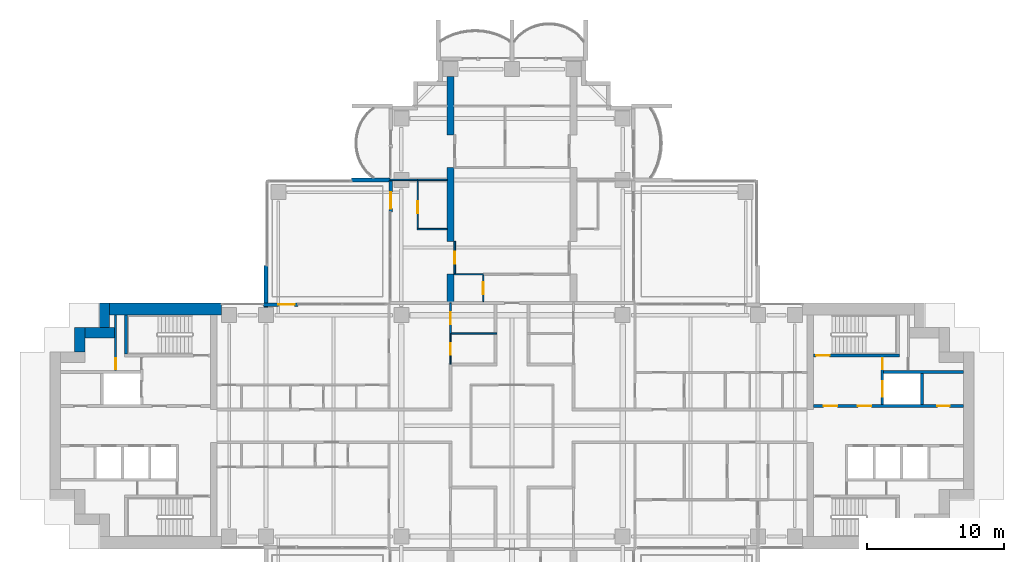
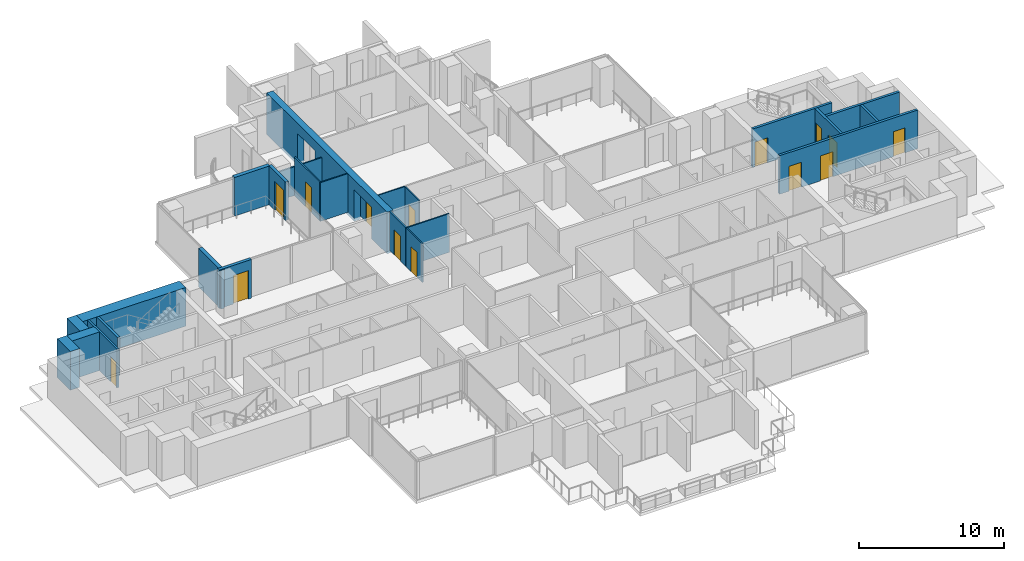
# One storey, part 14 of 20: 26 walls, 14 doors, 14 openings.
"""IFC4 building model written with IfcOpenShell, lengths in metres."""

from ifc_helpers import new_model, si_unit, direction, frame, frame_2d, origin, place, context, subcontext, project, spatial, polyline, rectangle, outline, extrude, material, layer, layer_set, material_profile, profile_set, type_object, element, fill, save


model = new_model("IFC4")

# Units and contexts
model_context = context("Model", 3, precision=1e-05, world=origin(), true_north=direction((0.0, 1.0)))
body_context = subcontext(model_context, "Body", "Model", "MODEL_VIEW")
ifc_project = project(units=[si_unit("LENGTHUNIT", "METRE"), si_unit("AREAUNIT", "SQUARE_METRE"), si_unit("VOLUMEUNIT", "CUBIC_METRE"), si_unit("PLANEANGLEUNIT", "RADIAN"), si_unit("MASSUNIT", "GRAM", prefix="KILO")], contexts=[model_context])

# Site, building, storey
site_placement = place(None, origin())
site = spatial("IfcSite", under=ifc_project, at=site_placement, CompositionType="ELEMENT")
building_placement = place(site_placement, origin())
building = spatial("IfcBuilding", under=site, at=building_placement, Name="Perihelion Cross Residences", CompositionType="ELEMENT")
storey_placement = place(building_placement, frame((0.0, 0.0, 102.39990234375)))
storey = spatial("IfcBuildingStorey", under=building, at=storey_placement, Name="L23", CompositionType="ELEMENT", Elevation=102.39990234375)

# Wall, opening, door
ifc_material_1 = material(Name="Concrete C30/37, bronze-clad", Category="concrete")
ifc_layer_1 = layer(ifc_material_1, 0.25)
ifc_layer_set_1 = layer_set([ifc_layer_1], Name="Bronze-clad pier wall 250")
wall_type_1 = type_object("IfcWallType", Name="Bronze-clad pier wall 250", PredefinedType="SOLIDWALL", material=ifc_layer_set_1)
wall_1_placement = place(storey_placement, frame((-8.875, 17.93994140625, 0.0), z_axis=(0.0, 0.0, 1.0), x_axis=(0.0, -1.0, 0.0)))
wall_1 = element("IfcWall", 1, at=wall_1_placement, inside=storey, type_object=wall_type_1, Name="Wall FW1 L23 north side west bay 2 pier", PredefinedType="SOLIDWALL", context=body_context, shape_type="SweptSolid", body=[
    extrude(rectangle(XDim=2.2900390625, YDim=0.25, at=frame_2d((1.14501953125, 0.0))), origin(), (0.0, 0.0, 1.0), 3.25),
])
opening_1_placement = place(wall_1_placement, frame((0.840087890625, 0.0, 0.0)))
opening_1 = element("IfcOpeningElement", 2, at=opening_1_placement, cuts=wall_1, Name="Opening L23.E07", PredefinedType="OPENING", context=body_context, shape_type="SweptSolid", body=[
    extrude(rectangle(XDim=1.199951171875, YDim=2.39990234375, at=frame_2d((0.60009765625, 1.199951171875))), frame((0.0, 0.135009765625, 0.0), z_axis=(0.0, -1.0, 0.0), x_axis=(1.0, 0.0, 0.0)), (0.0, 0.0, 1.0), 0.27001953125),
])
ifc_material_2 = material(Name="Bronze anodised aluminium, glazed", Category="aluminium")
door_type_1 = type_object("IfcDoorType", Name="Balcony door 1200 x 2400", OperationType="NOTDEFINED", PredefinedType="DOOR", material=ifc_material_2)
door_1_placement = place(opening_1_placement, origin())
door_1 = element("IfcDoor", 3, at=door_1_placement, inside=storey, type_object=door_type_1, Name="Door L23.E07 north side west bay 2", OperationType="SINGLE_SWING_RIGHT", OverallHeight=2.39990234375, OverallWidth=1.199951171875, PredefinedType="DOOR", context=body_context, shape_type="SweptSolid", body=[
    extrude(rectangle(XDim=1.199951171875, YDim=2.39990234375, at=frame_2d((0.60009765625, 1.199951171875))), frame((0.0, 0.02490234375, 0.0), z_axis=(0.0, -1.0, 0.0), x_axis=(1.0, 0.0, 0.0)), (0.0, 0.0, 1.0), 0.050048828125),
])
fill(opening_1, door_1)

wall_2_placement = place(storey_placement, frame((-15.64990234375, 8.875, 0.0), z_axis=(0.0, 0.0, 1.0), x_axis=(-1.0, 0.0, 0.0)))
wall_2 = element("IfcWall", 4, at=wall_2_placement, inside=storey, type_object=wall_type_1, Name="Wall FW1 L23 west side north bay 1 pier", PredefinedType="SOLIDWALL", context=body_context, shape_type="SweptSolid", body=[
    extrude(rectangle(XDim=2.550048828125, YDim=0.25, at=frame_2d((1.27490234375, 0.0))), origin(), (0.0, 0.0, 1.0), 3.25),
])
opening_2_placement = place(wall_2_placement, frame((0.25, 0.0, 0.0)))
opening_2 = element("IfcOpeningElement", 5, at=opening_2_placement, cuts=wall_2, Name="Opening L23.E08", PredefinedType="OPENING", context=body_context, shape_type="SweptSolid", body=[
    extrude(rectangle(XDim=1.199951171875, YDim=2.39990234375, at=frame_2d((0.60009765625, 1.199951171875))), frame((0.0, 0.135009765625, 0.0), z_axis=(0.0, -1.0, 0.0), x_axis=(1.0, 0.0, 0.0)), (0.0, 0.0, 1.0), 0.27001953125),
])
door_2_placement = place(opening_2_placement, origin())
door_2 = element("IfcDoor", 6, at=door_2_placement, inside=storey, type_object=door_type_1, Name="Door L23.E08 west side north bay 1", OperationType="SINGLE_SWING_LEFT", OverallHeight=2.39990234375, OverallWidth=1.199951171875, PredefinedType="DOOR", context=body_context, shape_type="SweptSolid", body=[
    extrude(rectangle(XDim=1.199951171875, YDim=2.39990234375, at=frame_2d((0.60009765625, 1.199951171875))), frame((0.0, 0.02490234375, 0.0), z_axis=(0.0, -1.0, 0.0), x_axis=(1.0, 0.0, 0.0)), (0.0, 0.0, 1.0), 0.050048828125),
])
fill(opening_2, door_2)

# Walls
ifc_material_3 = material(Name="Concrete C60/75", Category="concrete")
ifc_layer_2 = layer(ifc_material_3, 0.75)
ifc_layer_set_2 = layer_set([ifc_layer_2], Name="Core wall, outer 750")
wall_type_2 = type_object("IfcWallType", Name="Core wall, outer 750", PredefinedType="SHEAR", material=ifc_layer_set_2)
wall_3_placement = place(storey_placement, frame((-31.625, 5.39990234375, 0.0), z_axis=(0.0, 0.0, 1.0), x_axis=(0.0, 1.0, 0.0)))
element("IfcWall", 7, at=wall_3_placement, inside=storey, type_object=wall_type_2, Name="West core core wall, outer", PredefinedType="SHEAR", context=body_context, shape_type="SweptSolid", body=[
    extrude(rectangle(XDim=1.800048828125, YDim=0.75, at=frame_2d((0.89990234375, 0.0))), origin(), (0.0, 0.0, 1.0), 3.25),
])
wall_4_placement = place(storey_placement, frame((-31.25, 6.824951171875, 0.0), z_axis=(0.0, 0.0, 1.0), x_axis=(1.0, 0.0, 0.0)))
element("IfcWall", 8, at=wall_4_placement, inside=storey, type_object=wall_type_2, Name="West core core wall, outer", PredefinedType="SHEAR", context=body_context, shape_type="SweptSolid", body=[
    extrude(rectangle(XDim=2.175048828125, YDim=0.75, at=frame_2d((1.08740234375, 0.0))), origin(), (0.0, 0.0, 1.0), 3.25),
])
wall_5_placement = place(storey_placement, frame((-29.824951171875, 7.199951171875, 0.0), z_axis=(0.0, 0.0, 1.0), x_axis=(0.0, 1.0, 0.0)))
element("IfcWall", 9, at=wall_5_placement, inside=storey, type_object=wall_type_2, Name="West core core wall, outer", PredefinedType="SHEAR", context=body_context, shape_type="SweptSolid", body=[
    extrude(rectangle(XDim=1.800048828125, YDim=0.75, at=frame_2d((0.89990234375, 0.0))), origin(), (0.0, 0.0, 1.0), 3.25),
])
ifc_material_4 = material(Name="Concrete C60/75", Category="concrete")
ifc_layer_3 = layer(ifc_material_4, 0.89990234375)
ifc_layer_set_3 = layer_set([ifc_layer_3], Name="Core wall, outer 900")
wall_type_3 = type_object("IfcWallType", Name="Core wall, outer 900", PredefinedType="SHEAR", material=ifc_layer_set_3)
wall_6_placement = place(storey_placement, frame((-29.449951171875, 8.550048828125, 0.0), z_axis=(0.0, 0.0, 1.0), x_axis=(1.0, 0.0, 0.0)))
element("IfcWall", 10, at=wall_6_placement, inside=storey, type_object=wall_type_3, Name="West core core wall, outer", PredefinedType="SHEAR", context=body_context, shape_type="SweptSolid", body=[
    extrude(rectangle(XDim=8.199951171875, YDim=0.89990234375, at=frame_2d((4.10009765625, 0.0))), origin(), (0.0, 0.0, 1.0), 3.25),
])

# Wall, opening, door
ifc_material_5 = material(Name="Plasterboard partition")
ifc_layer_4 = layer(ifc_material_5, 0.1201171875)
ifc_layer_set_4 = layer_set([ifc_layer_4], Name="Infill panel 120")
wall_type_4 = type_object("IfcWallType", Name="Infill panel 120", PredefinedType="PARTITIONING", material=ifc_layer_set_4)
wall_7_placement = place(storey_placement, frame((-4.18994140625, 11.10009765625, 0.0), z_axis=(0.0, 0.0, 1.0), x_axis=(0.0, 1.0, 0.0)))
wall_7 = element("IfcWall", 11, at=wall_7_placement, inside=storey, type_object=wall_type_4, Name="Partition L23 WI03", PredefinedType="PARTITIONING", context=body_context, shape_type="SweptSolid", body=[
    extrude(rectangle(XDim=2.39990234375, YDim=0.1201171875, at=frame_2d((1.199951171875, 0.0))), origin(), (0.0, 0.0, 1.0), 2.400146484375),
])
opening_3_placement = place(wall_7_placement, frame((0.75, 0.0, 0.0)))
opening_3 = element("IfcOpeningElement", 12, at=opening_3_placement, cuts=wall_7, Name="Opening L23.A52", PredefinedType="OPENING", context=body_context, shape_type="SweptSolid", body=[
    extrude(rectangle(XDim=0.89990234375, YDim=2.10009765625, at=frame_2d((0.449951171875, 1.050048828125))), frame((0.0, 0.070068359375, 0.0), z_axis=(0.0, -1.0, 0.0), x_axis=(1.0, 0.0, 0.0)), (0.0, 0.0, 1.0), 0.14013671875),
])
ifc_material_6 = material(Name="Timber door leaf", Category="wood")
door_type_2 = type_object("IfcDoorType", Name="Interior room door 900 x 2100", OperationType="SINGLE_SWING_LEFT", PredefinedType="DOOR", material=ifc_material_6)
door_3_placement = place(opening_3_placement, origin())
door_3 = element("IfcDoor", 13, at=door_3_placement, inside=storey, type_object=door_type_2, Name="Door L23.A52", OperationType="SINGLE_SWING_LEFT", OverallHeight=2.10009765625, OverallWidth=0.89990234375, PredefinedType="DOOR", context=body_context, shape_type="SweptSolid", body=[
    extrude(rectangle(XDim=0.89990234375, YDim=2.10009765625, at=frame_2d((0.449951171875, 1.050048828125))), frame((0.0, 0.02490234375, 0.0), z_axis=(0.0, -1.0, 0.0), x_axis=(1.0, 0.0, 0.0)), (0.0, 0.0, 1.0), 0.050048828125),
])
fill(opening_3, door_3)

ifc_material_7 = material(Name="Plasterboard partition")
ifc_layer_5 = layer(ifc_material_7, 0.1201171875)
ifc_layer_set_5 = layer_set([ifc_layer_5], Name="Partition wall 120")
wall_type_5 = type_object("IfcWallType", Name="Partition wall 120", PredefinedType="PARTITIONING", material=ifc_layer_set_5)
wall_8_placement = place(storey_placement, frame((-4.5, 9.0, 0.0), z_axis=(0.0, 0.0, 1.0), x_axis=(0.0, -1.0, 0.0)))
wall_8 = element("IfcWall", 14, at=wall_8_placement, inside=storey, type_object=wall_type_5, Name="Partition L23 W051", PredefinedType="PARTITIONING", context=body_context, shape_type="SweptSolid", body=[
    extrude(rectangle(XDim=2.25, YDim=0.1201171875, at=frame_2d((1.125, 0.0))), origin(), (0.0, 0.0, 1.0), 3.25),
])
opening_4_placement = place(wall_8_placement, frame((0.675048828125, 0.0, 0.0)))
opening_4 = element("IfcOpeningElement", 15, at=opening_4_placement, cuts=wall_8, Name="Opening L23.A22", PredefinedType="OPENING", context=body_context, shape_type="SweptSolid", body=[
    extrude(rectangle(XDim=0.89990234375, YDim=2.10009765625, at=frame_2d((0.449951171875, 1.050048828125))), frame((0.0, 0.070068359375, 0.0), z_axis=(0.0, -1.0, 0.0), x_axis=(1.0, 0.0, 0.0)), (0.0, 0.0, 1.0), 0.14013671875),
])
door_4_placement = place(opening_4_placement, origin())
door_4 = element("IfcDoor", 16, at=door_4_placement, inside=storey, type_object=door_type_2, Name="Door L23.A22", OperationType="SINGLE_SWING_LEFT", OverallHeight=2.10009765625, OverallWidth=0.89990234375, PredefinedType="DOOR", context=body_context, shape_type="SweptSolid", body=[
    extrude(rectangle(XDim=0.89990234375, YDim=2.10009765625, at=frame_2d((0.449951171875, 1.050048828125))), frame((0.0, 0.02490234375, 0.0), z_axis=(0.0, -1.0, 0.0), x_axis=(1.0, 0.0, 0.0)), (0.0, 0.0, 1.0), 0.050048828125),
])
fill(opening_4, door_4)

# Walls
wall_9_placement = place(storey_placement, frame((-8.919921875, 18.0, 0.0), z_axis=(0.0, 0.0, 1.0), x_axis=(1.0, 0.0, 0.0)))
element("IfcWall", 17, at=wall_9_placement, inside=storey, type_object=wall_type_5, Name="Partition L23 W075", PredefinedType="PARTITIONING", context=body_context, shape_type="SweptSolid", body=[
    extrude(rectangle(XDim=2.02001953125, YDim=0.1201171875, at=frame_2d((1.010009765625, 0.0))), origin(), (0.0, 0.0, 1.0), 2.4140625),
])
ifc_material_8 = material(Name="Precast concrete C50/60", Category="concrete")
ifc_layer_6 = layer(ifc_material_8, 0.300048828125)
ifc_layer_set_6 = layer_set([ifc_layer_6], Name="Precast concrete C50/60 blade wall 300")
wall_type_6 = type_object("IfcWallType", Name="Precast concrete C50/60 blade wall 300", PredefinedType="SOLIDWALL", material=ifc_layer_set_6)
wall_10_placement = place(storey_placement, frame((-18.0, 8.64990234375, 0.0), z_axis=(0.0, 0.0, 1.0), x_axis=(0.0, 1.0, 0.0)))
element("IfcWall", 18, at=wall_10_placement, inside=storey, type_object=wall_type_6, Name="Wall BL1 L23 no. 2", PredefinedType="SOLIDWALL", context=body_context, shape_type="SweptSolid", body=[
    extrude(rectangle(XDim=3.090087890625, YDim=0.300048828125, at=frame_2d((1.544921875, 0.0))), origin(), (0.0, 0.0, 1.0), 3.25),
])
wall_11_placement = place(storey_placement, frame((-8.919921875, 18.0, 0.0), z_axis=(0.0, 0.0, 1.0), x_axis=(-1.0, 0.0, 0.0)))
element("IfcWall", 19, at=wall_11_placement, inside=storey, type_object=wall_type_6, Name="Wall BL1 L23 no. 6", PredefinedType="SOLIDWALL", context=body_context, shape_type="SweptSolid", body=[
    extrude(rectangle(XDim=2.820068359375, YDim=0.300048828125, at=frame_2d((1.41015625, 0.0))), origin(), (0.0, 0.0, 1.0), 3.25),
])

# Wall, opening, door
ifc_material_9 = material(Name="Fire-rated board on steel stud", Category="steel")
ifc_layer_7 = layer(ifc_material_9, 0.14990234375)
ifc_layer_set_7 = layer_set([ifc_layer_7], Name="Riser wall 150")
wall_type_7 = type_object("IfcWallType", Name="Riser wall 150", PredefinedType="PARTITIONING", material=ifc_layer_set_7)
wall_12_placement = place(storey_placement, frame((-29.0, 4.050048828125, 0.0), z_axis=(0.0, 0.0, 1.0), x_axis=(0.0, 1.0, 0.0)))
wall_12 = element("IfcWall", 20, at=wall_12_placement, inside=storey, type_object=wall_type_7, Name="West core riser wall", PredefinedType="PARTITIONING", context=body_context, shape_type="SweptSolid", body=[
    extrude(rectangle(XDim=4.050048828125, YDim=0.14990234375, at=frame_2d((2.02490234375, 0.0))), origin(), (0.0, 0.0, 1.0), 3.25),
])
opening_5_placement = place(wall_12_placement, frame((0.10009765625, 0.0, 0.0)))
opening_5 = element("IfcOpeningElement", 21, at=opening_5_placement, cuts=wall_12, Name="Opening L23.C26", PredefinedType="OPENING", context=body_context, shape_type="SweptSolid", body=[
    extrude(rectangle(XDim=0.800048828125, YDim=2.10009765625, at=frame_2d((0.39990234375, 1.050048828125))), frame((0.0, 0.0849609375, 0.0), z_axis=(0.0, -1.0, 0.0), x_axis=(1.0, 0.0, 0.0)), (0.0, 0.0, 1.0), 0.169921875),
])
ifc_material_10 = material(Name="Steel, powder coated", Category="steel")
door_type_3 = type_object("IfcDoorType", Name="Riser door 800", OperationType="SINGLE_SWING_LEFT", PredefinedType="DOOR", material=ifc_material_10)
door_5_placement = place(opening_5_placement, origin())
door_5 = element("IfcDoor", 22, at=door_5_placement, inside=storey, type_object=door_type_3, Name="West core riser door", OperationType="SINGLE_SWING_LEFT", OverallHeight=2.10009765625, OverallWidth=0.800048828125, PredefinedType="DOOR", context=body_context, shape_type="SweptSolid", body=[
    extrude(rectangle(XDim=0.800048828125, YDim=2.10009765625, at=frame_2d((0.39990234375, 1.050048828125))), frame((0.0, 0.02490234375, 0.0), z_axis=(0.0, -1.0, 0.0), x_axis=(1.0, 0.0, 0.0)), (0.0, 0.0, 1.0), 0.050048828125),
])
fill(opening_5, door_5)

# Wall, openings, doors
ifc_material_11 = material(Name="Concrete C50/60", Category="concrete")
ifc_layer_8 = layer(ifc_material_11, 0.199951171875)
ifc_layer_set_8 = layer_set([ifc_layer_8], Name="Shaft wall 200")
wall_type_8 = type_object("IfcWallType", Name="Shaft wall 200", PredefinedType="SOLIDWALL", material=ifc_layer_set_8)
wall_13_placement = place(storey_placement, frame((22.050048828125, 1.449951171875, 0.0), z_axis=(0.0, 0.0, 1.0), x_axis=(1.0, 0.0, 0.0)))
wall_13 = element("IfcWall", 23, at=wall_13_placement, inside=storey, type_object=wall_type_8, Name="East core shaft wall", PredefinedType="SOLIDWALL", context=body_context, shape_type="SweptSolid", body=[
    extrude(rectangle(XDim=11.0, YDim=0.199951171875, at=frame_2d((5.5, 0.0))), origin(), (0.0, 0.0, 1.0), 3.25),
])
opening_6_placement = place(wall_13_placement, frame((0.75, 0.0, 0.0)))
opening_6 = element("IfcOpeningElement", 24, at=opening_6_placement, cuts=wall_13, Name="Opening L23.C07", PredefinedType="OPENING", context=body_context, shape_type="SweptSolid", body=[
    extrude(rectangle(XDim=1.0, YDim=2.10009765625, at=frame_2d((0.5, 1.050048828125))), frame((0.0, 0.10986328125, 0.0), z_axis=(0.0, -1.0, 0.0), x_axis=(1.0, 0.0, 0.0)), (0.0, 0.0, 1.0), 0.219970703125),
])
opening_7_placement = place(wall_13_placement, frame((3.25, 0.0, 0.0)))
opening_7 = element("IfcOpeningElement", 25, at=opening_7_placement, cuts=wall_13, Name="Opening L23.C09", PredefinedType="OPENING", context=body_context, shape_type="SweptSolid", body=[
    extrude(rectangle(XDim=1.0, YDim=2.10009765625, at=frame_2d((0.5, 1.050048828125))), frame((0.0, 0.10986328125, 0.0), z_axis=(0.0, -1.0, 0.0), x_axis=(1.0, 0.0, 0.0)), (0.0, 0.0, 1.0), 0.219970703125),
])
opening_8_placement = place(wall_13_placement, frame((9.074951171875, 0.0, 0.0)))
opening_8 = element("IfcOpeningElement", 26, at=opening_8_placement, cuts=wall_13, Name="Opening L23.C13", PredefinedType="OPENING", context=body_context, shape_type="SweptSolid", body=[
    extrude(rectangle(XDim=0.89990234375, YDim=2.10009765625, at=frame_2d((0.449951171875, 1.050048828125))), frame((0.0, 0.10986328125, 0.0), z_axis=(0.0, -1.0, 0.0), x_axis=(1.0, 0.0, 0.0)), (0.0, 0.0, 1.0), 0.219970703125),
])
ifc_material_12 = material(Name="Steel, powder coated", Category="steel")
door_type_4 = type_object("IfcDoorType", Name="Lobby door 1000", OperationType="SINGLE_SWING_LEFT", PredefinedType="DOOR", material=ifc_material_12)
door_6_placement = place(opening_6_placement, origin())
door_6 = element("IfcDoor", 27, at=door_6_placement, inside=storey, type_object=door_type_4, Name="East core firefighting lobby door", OperationType="SINGLE_SWING_LEFT", OverallHeight=2.10009765625, OverallWidth=1.0, PredefinedType="DOOR", context=body_context, shape_type="SweptSolid", body=[
    extrude(rectangle(XDim=1.0, YDim=2.10009765625, at=frame_2d((0.5, 1.050048828125))), frame((0.0, 0.02490234375, 0.0), z_axis=(0.0, -1.0, 0.0), x_axis=(1.0, 0.0, 0.0)), (0.0, 0.0, 1.0), 0.050048828125),
])
fill(opening_6, door_6)
door_7_placement = place(opening_7_placement, origin())
door_7 = element("IfcDoor", 28, at=door_7_placement, inside=storey, type_object=door_type_4, Name="East core firefighting lobby door", OperationType="SINGLE_SWING_LEFT", OverallHeight=2.10009765625, OverallWidth=1.0, PredefinedType="DOOR", context=body_context, shape_type="SweptSolid", body=[
    extrude(rectangle(XDim=1.0, YDim=2.10009765625, at=frame_2d((0.5, 1.050048828125))), frame((0.0, 0.02490234375, 0.0), z_axis=(0.0, -1.0, 0.0), x_axis=(1.0, 0.0, 0.0)), (0.0, 0.0, 1.0), 0.050048828125),
])
fill(opening_7, door_7)
ifc_material_13 = material(Name="Steel, powder coated", Category="steel")
door_type_5 = type_object("IfcDoorType", Name="Service room door 900", OperationType="SINGLE_SWING_LEFT", PredefinedType="DOOR", material=ifc_material_13)
door_8_placement = place(opening_8_placement, origin())
door_8 = element("IfcDoor", 29, at=door_8_placement, inside=storey, type_object=door_type_5, Name="East core service room door", OperationType="SINGLE_SWING_LEFT", OverallHeight=2.10009765625, OverallWidth=0.89990234375, PredefinedType="DOOR", context=body_context, shape_type="SweptSolid", body=[
    extrude(rectangle(XDim=0.89990234375, YDim=2.10009765625, at=frame_2d((0.449951171875, 1.050048828125))), frame((0.0, 0.02490234375, 0.0), z_axis=(0.0, -1.0, 0.0), x_axis=(1.0, 0.0, 0.0)), (0.0, 0.0, 1.0), 0.050048828125),
])
fill(opening_8, door_8)

# Wall
wall_14_placement = place(storey_placement, frame((27.199951171875, 3.949951171875, 0.0), z_axis=(0.0, 0.0, 1.0), x_axis=(1.0, 0.0, 0.0)))
element("IfcWall", 30, at=wall_14_placement, inside=storey, type_object=wall_type_8, Name="East core shaft wall", PredefinedType="SOLIDWALL", context=body_context, shape_type="SweptSolid", body=[
    extrude(rectangle(XDim=5.85009765625, YDim=0.199951171875, at=frame_2d((2.925048828125, 0.0))), origin(), (0.0, 0.0, 1.0), 3.25),
])

# Wall, openings, doors
wall_15_placement = place(storey_placement, frame((27.10009765625, 1.550048828125, 0.0), z_axis=(0.0, 0.0, 1.0), x_axis=(0.0, 1.0, 0.0)))
wall_15 = element("IfcWall", 31, at=wall_15_placement, inside=storey, type_object=wall_type_8, Name="East core shaft wall", PredefinedType="SOLIDWALL", context=body_context, shape_type="SweptSolid", body=[
    extrude(rectangle(XDim=3.5, YDim=0.199951171875, at=frame_2d((1.75, 0.0))), origin(), (0.0, 0.0, 1.0), 3.25),
])
opening_9_placement = place(wall_15_placement, frame((0.60009765625, 0.0, 0.0)))
opening_9 = element("IfcOpeningElement", 32, at=opening_9_placement, cuts=wall_15, Name="Opening L23.C02", PredefinedType="OPENING", context=body_context, shape_type="SweptSolid", body=[
    extrude(rectangle(XDim=1.10009765625, YDim=2.10009765625, at=frame_2d((0.550048828125, 1.050048828125))), frame((0.0, 0.10986328125, 0.0), z_axis=(0.0, -1.0, 0.0), x_axis=(1.0, 0.0, 0.0)), (0.0, 0.0, 1.0), 0.219970703125),
])
opening_10_placement = place(wall_15_placement, frame((2.60009765625, 0.0, 0.0)))
opening_10 = element("IfcOpeningElement", 33, at=opening_10_placement, cuts=wall_15, Name="Opening L23.C10", PredefinedType="OPENING", context=body_context, shape_type="SweptSolid", body=[
    extrude(rectangle(XDim=0.800048828125, YDim=2.10009765625, at=frame_2d((0.39990234375, 1.050048828125))), frame((0.0, 0.10986328125, 0.0), z_axis=(0.0, -1.0, 0.0), x_axis=(1.0, 0.0, 0.0)), (0.0, 0.0, 1.0), 0.219970703125),
])
ifc_material_14 = material(Name="Stainless steel", Category="steel")
door_type_6 = type_object("IfcDoorType", Name="Landing door, firefighting lift 1100", OperationType="DOUBLE_DOOR_SLIDING", PredefinedType="DOOR", material=ifc_material_14)
door_9_placement = place(opening_9_placement, origin())
door_9 = element("IfcDoor", 34, at=door_9_placement, inside=storey, type_object=door_type_6, Name="Landing door, East core firefighting and service lift", OperationType="DOUBLE_DOOR_SLIDING", OverallHeight=2.10009765625, OverallWidth=1.10009765625, PredefinedType="DOOR", context=body_context, shape_type="SweptSolid", body=[
    extrude(rectangle(XDim=1.10009765625, YDim=2.10009765625, at=frame_2d((0.550048828125, 1.050048828125))), frame((0.0, 0.02490234375, 0.0), z_axis=(0.0, -1.0, 0.0), x_axis=(1.0, 0.0, 0.0)), (0.0, 0.0, 1.0), 0.050048828125),
])
fill(opening_9, door_9)
door_10_placement = place(opening_10_placement, origin())
door_10 = element("IfcDoor", 35, at=door_10_placement, inside=storey, type_object=door_type_3, Name="East core riser door", OperationType="SINGLE_SWING_LEFT", OverallHeight=2.10009765625, OverallWidth=0.800048828125, PredefinedType="DOOR", context=body_context, shape_type="SweptSolid", body=[
    extrude(rectangle(XDim=0.800048828125, YDim=2.10009765625, at=frame_2d((0.39990234375, 1.050048828125))), frame((0.0, 0.02490234375, 0.0), z_axis=(0.0, -1.0, 0.0), x_axis=(1.0, 0.0, 0.0)), (0.0, 0.0, 1.0), 0.050048828125),
])
fill(opening_10, door_10)

# Wall
wall_16_placement = place(storey_placement, frame((30.0, 1.550048828125, 0.0), z_axis=(0.0, 0.0, 1.0), x_axis=(0.0, 1.0, 0.0)))
element("IfcWall", 36, at=wall_16_placement, inside=storey, type_object=wall_type_8, Name="East core shaft wall", PredefinedType="SOLIDWALL", context=body_context, shape_type="SweptSolid", body=[
    extrude(rectangle(XDim=2.300048828125, YDim=0.199951171875, at=frame_2d((1.14990234375, 0.0))), origin(), (0.0, 0.0, 1.0), 3.25),
])

# Wall, opening, door
ifc_material_15 = material(Name="Concrete C50/60", Category="concrete")
ifc_layer_9 = layer(ifc_material_15, 0.199951171875)
ifc_layer_set_9 = layer_set([ifc_layer_9], Name="Stair wall 200")
wall_type_9 = type_object("IfcWallType", Name="Stair wall 200", PredefinedType="SOLIDWALL", material=ifc_layer_set_9)
wall_17_placement = place(storey_placement, frame((22.050048828125, 5.14990234375, 0.0), z_axis=(0.0, 0.0, 1.0), x_axis=(1.0, 0.0, 0.0)))
wall_17 = element("IfcWall", 37, at=wall_17_placement, inside=storey, type_object=wall_type_9, Name="East core stair wall", PredefinedType="SOLIDWALL", context=body_context, shape_type="SweptSolid", body=[
    extrude(rectangle(XDim=6.300048828125, YDim=0.199951171875, at=frame_2d((3.14990234375, 0.0))), origin(), (0.0, 0.0, 1.0), 3.25),
])
opening_11_placement = place(wall_17_placement, frame((0.199951171875, 0.0, 0.0)))
opening_11 = element("IfcOpeningElement", 38, at=opening_11_placement, cuts=wall_17, Name="Opening L23.C06", PredefinedType="OPENING", context=body_context, shape_type="SweptSolid", body=[
    extrude(rectangle(XDim=1.0, YDim=2.10009765625, at=frame_2d((0.5, 1.050048828125))), frame((0.0, 0.10986328125, 0.0), z_axis=(0.0, -1.0, 0.0), x_axis=(1.0, 0.0, 0.0)), (0.0, 0.0, 1.0), 0.219970703125),
])
ifc_material_16 = material(Name="Steel, powder coated", Category="steel")
door_type_7 = type_object("IfcDoorType", Name="Stair door 1000", OperationType="SINGLE_SWING_LEFT", PredefinedType="DOOR", material=ifc_material_16)
door_11_placement = place(opening_11_placement, origin())
door_11 = element("IfcDoor", 39, at=door_11_placement, inside=storey, type_object=door_type_7, Name="East core stair door", OperationType="SINGLE_SWING_LEFT", OverallHeight=2.10009765625, OverallWidth=1.0, PredefinedType="DOOR", context=body_context, shape_type="SweptSolid", body=[
    extrude(rectangle(XDim=1.0, YDim=2.10009765625, at=frame_2d((0.5, 1.050048828125))), frame((0.0, 0.02490234375, 0.0), z_axis=(0.0, -1.0, 0.0), x_axis=(1.0, 0.0, 0.0)), (0.0, 0.0, 1.0), 0.050048828125),
])
fill(opening_11, door_11)

# Walls
wall_18_placement = place(storey_placement, frame((-28.25, 5.25, 0.0), z_axis=(0.0, 0.0, 1.0), x_axis=(0.0, 1.0, 0.0)))
element("IfcWall", 40, at=wall_18_placement, inside=storey, type_object=wall_type_9, Name="West core stair wall", PredefinedType="SOLIDWALL", context=body_context, shape_type="SweptSolid", body=[
    extrude(rectangle(XDim=2.85009765625, YDim=0.199951171875, at=frame_2d((1.425048828125, 0.0))), origin(), (0.0, 0.0, 1.0), 3.25),
])
ifc_material_17 = material(Name="Concrete C60/75", Category="concrete")
ifc_material_profile = material_profile(ifc_material_17, outline(polyline([(0.0, 0.0), (2.10009765625, 0.0), (2.10009765625, 2.64990234375), (4.5, 2.64990234375), (4.5, 0.0), (9.89990234375, 0.0), (9.89990234375, 2.64990234375), (12.300048828125, 2.64990234375), (12.300048828125, 0.0), (16.550048828125, 0.0), (16.550048828125, 3.5), (0.0, 3.5), (0.0, 0.0)])), Name="Tip spine wall")
ifc_profile_set = profile_set([ifc_material_profile], Name="Concrete C60/75")
wall_type_10 = type_object("IfcWallType", Name="Tip spine wall 500 with 2 door openings 16550 long 3500 high concrete C60/75", PredefinedType="SHEAR", material=ifc_profile_set)
wall_19_placement = place(storey_placement, frame((-4.75, 9.0, -0.25), z_axis=(1.0, 0.0, 0.0), x_axis=(0.0, 1.0, 0.0)))
element("IfcWall", 41, at=wall_19_placement, inside=storey, type_object=wall_type_10, Name="Shear wall SW34 L23 north west", PredefinedType="SHEAR", context=body_context, shape_type="SweptSolid", body=[
    extrude(outline(polyline([(0.0, 0.0), (2.10009765625, 0.0), (2.10009765625, 2.64990234375), (4.5, 2.64990234375), (4.5, 0.0), (9.89990234375, 0.0), (9.89990234375, 2.64990234375), (12.300048828125, 2.64990234375), (12.300048828125, 0.0), (16.550048828125, 0.0), (16.550048828125, 3.5), (0.0, 3.5), (0.0, 0.0)])), origin(), (0.0, 0.0, 1.0), 0.5),
])

# Wall, opening, door
ifc_material_18 = material(Name="Plasterboard partition")
ifc_layer_10 = layer(ifc_material_18, 0.10009765625)
ifc_layer_set_10 = layer_set([ifc_layer_10], Name="Wet room wall 100")
wall_type_11 = type_object("IfcWallType", Name="Wet room wall 100", PredefinedType="PARTITIONING", material=ifc_layer_set_10)
wall_20_placement = place(storey_placement, frame((-4.5, 6.75, 0.0), z_axis=(0.0, 0.0, 1.0), x_axis=(0.0, -1.0, 0.0)))
wall_20 = element("IfcWall", 42, at=wall_20_placement, inside=storey, type_object=wall_type_11, Name="Partition L23 W050", PredefinedType="PARTITIONING", context=body_context, shape_type="SweptSolid", body=[
    extrude(rectangle(XDim=2.25, YDim=0.10009765625, at=frame_2d((1.125, 0.0))), origin(), (0.0, 0.0, 1.0), 3.25),
])
opening_12_placement = place(wall_20_placement, frame((0.699951171875, 0.0, 0.0)))
opening_12 = element("IfcOpeningElement", 43, at=opening_12_placement, cuts=wall_20, Name="Opening L23.A18", PredefinedType="OPENING", context=body_context, shape_type="SweptSolid", body=[
    extrude(rectangle(XDim=0.85009765625, YDim=2.10009765625, at=frame_2d((0.425048828125, 1.050048828125))), frame((0.0, 0.06005859375, 0.0), z_axis=(0.0, -1.0, 0.0), x_axis=(1.0, 0.0, 0.0)), (0.0, 0.0, 1.0), 0.1201171875),
])
ifc_material_19 = material(Name="Timber door leaf", Category="wood")
door_type_8 = type_object("IfcDoorType", Name="Interior bathroom door 850 x 2100", OperationType="SINGLE_SWING_LEFT", PredefinedType="DOOR", material=ifc_material_19)
door_12_placement = place(opening_12_placement, origin())
door_12 = element("IfcDoor", 44, at=door_12_placement, inside=storey, type_object=door_type_8, Name="Door L23.A18", OperationType="SINGLE_SWING_RIGHT", OverallHeight=2.10009765625, OverallWidth=0.85009765625, PredefinedType="DOOR", context=body_context, shape_type="SweptSolid", body=[
    extrude(rectangle(XDim=0.85009765625, YDim=2.10009765625, at=frame_2d((0.425048828125, 1.050048828125))), frame((0.0, 0.02490234375, 0.0), z_axis=(0.0, -1.0, 0.0), x_axis=(1.0, 0.0, 0.0)), (0.0, 0.0, 1.0), 0.050048828125),
])
fill(opening_12, door_12)

# Wall
wall_21_placement = place(storey_placement, frame((-4.56005859375, 6.75, 0.0), z_axis=(0.0, 0.0, 1.0), x_axis=(1.0, 0.0, 0.0)))
element("IfcWall", 45, at=wall_21_placement, inside=storey, type_object=wall_type_11, Name="Partition L23 W052", PredefinedType="PARTITIONING", context=body_context, shape_type="SweptSolid", body=[
    extrude(rectangle(XDim=3.4599609375, YDim=0.10009765625, at=frame_2d((1.72998046875, 0.0))), origin(), (0.0, 0.0, 1.0), 3.25),
])

# Wall, opening, door
wall_22_placement = place(storey_placement, frame((-2.10009765625, 9.10009765625, 0.0), z_axis=(0.0, 0.0, 1.0), x_axis=(0.0, 1.0, 0.0)))
wall_22 = element("IfcWall", 46, at=wall_22_placement, inside=storey, type_object=wall_type_11, Name="Partition L23 W062", PredefinedType="PARTITIONING", context=body_context, shape_type="SweptSolid", body=[
    extrude(rectangle(XDim=1.93994140625, YDim=0.10009765625, at=frame_2d((0.969970703125, 0.0))), origin(), (0.0, 0.0, 1.0), 3.25),
])
opening_13_placement = place(wall_22_placement, frame((0.544921875, 0.0, 0.0)))
opening_13 = element("IfcOpeningElement", 47, at=opening_13_placement, cuts=wall_22, Name="Opening L23.A33", PredefinedType="OPENING", context=body_context, shape_type="SweptSolid", body=[
    extrude(rectangle(XDim=0.85009765625, YDim=2.10009765625, at=frame_2d((0.425048828125, 1.050048828125))), frame((0.0, 0.06005859375, 0.0), z_axis=(0.0, -1.0, 0.0), x_axis=(1.0, 0.0, 0.0)), (0.0, 0.0, 1.0), 0.1201171875),
])
door_13_placement = place(opening_13_placement, origin())
door_13 = element("IfcDoor", 48, at=door_13_placement, inside=storey, type_object=door_type_8, Name="Door L23.A33", OperationType="SINGLE_SWING_LEFT", OverallHeight=2.10009765625, OverallWidth=0.85009765625, PredefinedType="DOOR", context=body_context, shape_type="SweptSolid", body=[
    extrude(rectangle(XDim=0.85009765625, YDim=2.10009765625, at=frame_2d((0.425048828125, 1.050048828125))), frame((0.0, 0.02490234375, 0.0), z_axis=(0.0, -1.0, 0.0), x_axis=(1.0, 0.0, 0.0)), (0.0, 0.0, 1.0), 0.050048828125),
])
fill(opening_13, door_13)

# Wall
wall_23_placement = place(storey_placement, frame((-4.25, 11.10009765625, 0.0), z_axis=(0.0, 0.0, 1.0), x_axis=(1.0, 0.0, 0.0)))
element("IfcWall", 49, at=wall_23_placement, inside=storey, type_object=wall_type_11, Name="Partition L23 W064", PredefinedType="PARTITIONING", context=body_context, shape_type="SweptSolid", body=[
    extrude(rectangle(XDim=2.14990234375, YDim=0.10009765625, at=frame_2d((1.074951171875, 0.0))), origin(), (0.0, 0.0, 1.0), 3.25),
])

# Wall, opening, door
wall_24_placement = place(storey_placement, frame((-6.89990234375, 17.93994140625, 0.0), z_axis=(0.0, 0.0, 1.0), x_axis=(0.0, -1.0, 0.0)))
wall_24 = element("IfcWall", 50, at=wall_24_placement, inside=storey, type_object=wall_type_11, Name="Partition L23 W073", PredefinedType="PARTITIONING", context=body_context, shape_type="SweptSolid", body=[
    extrude(rectangle(XDim=3.489990234375, YDim=0.10009765625, at=frame_2d((1.7451171875, 0.0))), origin(), (0.0, 0.0, 1.0), 3.25),
])
opening_14_placement = place(wall_24_placement, frame((1.52001953125, 0.0, 0.0)))
opening_14 = element("IfcOpeningElement", 51, at=opening_14_placement, cuts=wall_24, Name="Opening L23.A39", PredefinedType="OPENING", context=body_context, shape_type="SweptSolid", body=[
    extrude(rectangle(XDim=0.85009765625, YDim=2.10009765625, at=frame_2d((0.425048828125, 1.050048828125))), frame((0.0, 0.06005859375, 0.0), z_axis=(0.0, -1.0, 0.0), x_axis=(1.0, 0.0, 0.0)), (0.0, 0.0, 1.0), 0.1201171875),
])
door_14_placement = place(opening_14_placement, origin())
door_14 = element("IfcDoor", 52, at=door_14_placement, inside=storey, type_object=door_type_8, Name="Door L23.A39", OperationType="SINGLE_SWING_LEFT", OverallHeight=2.10009765625, OverallWidth=0.85009765625, PredefinedType="DOOR", context=body_context, shape_type="SweptSolid", body=[
    extrude(rectangle(XDim=0.85009765625, YDim=2.10009765625, at=frame_2d((0.425048828125, 1.050048828125))), frame((0.0, 0.02490234375, 0.0), z_axis=(0.0, -1.0, 0.0), x_axis=(1.0, 0.0, 0.0)), (0.0, 0.0, 1.0), 0.050048828125),
])
fill(opening_14, door_14)

# Walls
wall_25_placement = place(storey_placement, frame((-6.949951171875, 14.39990234375, 0.0), z_axis=(0.0, 0.0, 1.0), x_axis=(1.0, 0.0, 0.0)))
element("IfcWall", 53, at=wall_25_placement, inside=storey, type_object=wall_type_11, Name="Partition L23 W074", PredefinedType="PARTITIONING", context=body_context, shape_type="SweptSolid", body=[
    extrude(rectangle(XDim=2.199951171875, YDim=0.10009765625, at=frame_2d((1.10009765625, 0.0))), origin(), (0.0, 0.0, 1.0), 3.25),
])
wall_26_placement = place(storey_placement, frame((-6.89990234375, 18.0, 0.0), z_axis=(0.0, 0.0, 1.0), x_axis=(1.0, 0.0, 0.0)))
element("IfcWall", 54, at=wall_26_placement, inside=storey, type_object=wall_type_11, Name="Partition L23 W076", PredefinedType="PARTITIONING", context=body_context, shape_type="SweptSolid", body=[
    extrude(rectangle(XDim=2.14990234375, YDim=0.10009765625, at=frame_2d((1.074951171875, 0.0))), origin(), (0.0, 0.0, 1.0), 2.4140625),
])

save(model, "model.ifc")
